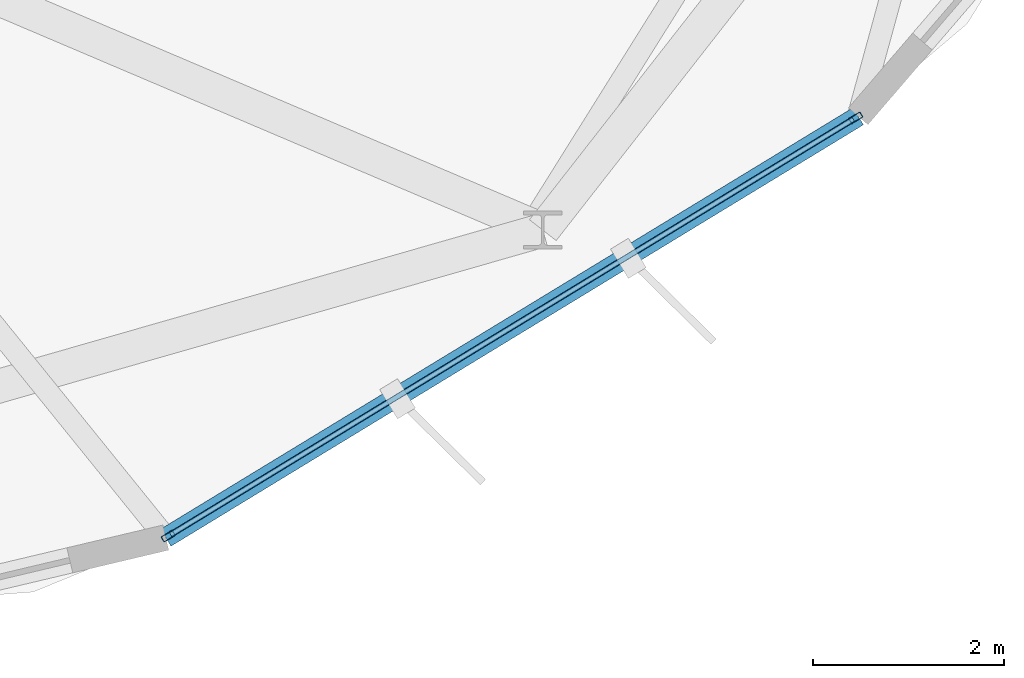
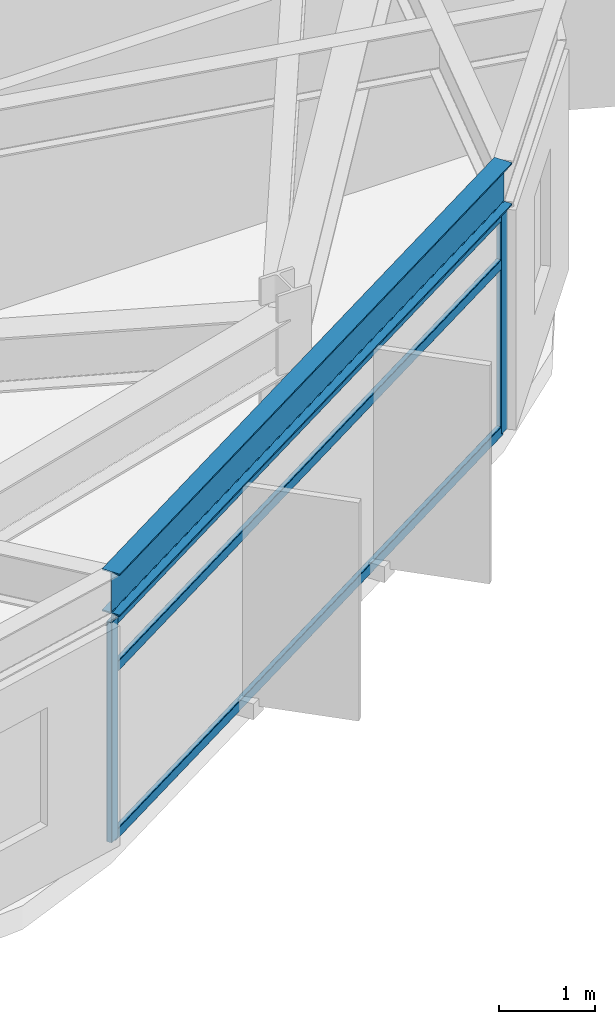
# One storey, part 5 of 23: 5 members, 1 beam, 1 element without a shape of its own.
"""IFC4 building model written with IfcOpenShell, lengths in metres."""

from ifc_helpers import new_model, si_unit, direction, frame, origin, origin_2d, place, context, subcontext, project, spatial, hollow_rectangle, i_section, extrude, material, layer, layer_set, material_profile, profile_set, type_object, element, aggregate, save


model = new_model("IFC4")

# Units and contexts
model_context = context("Model", 3, precision=1e-05, world=origin(), true_north=direction((0.0, 1.0)))
body_context = subcontext(model_context, "Body", "Model", "MODEL_VIEW")
ifc_project = project(units=[si_unit("LENGTHUNIT", "METRE"), si_unit("AREAUNIT", "SQUARE_METRE"), si_unit("VOLUMEUNIT", "CUBIC_METRE"), si_unit("PLANEANGLEUNIT", "RADIAN"), si_unit("MASSUNIT", "GRAM", prefix="KILO")], contexts=[model_context])

# Site, building, storey
site_placement = place(None, origin())
site = spatial("IfcSite", under=ifc_project, at=site_placement, CompositionType="ELEMENT")
building_placement = place(site_placement, origin())
building = spatial("IfcBuilding", under=site, at=building_placement, Name="Soratama Intermodal Tower", CompositionType="ELEMENT")
storey_placement = place(building_placement, frame((0.0, 0.0, 280.0)))
storey = spatial("IfcBuildingStorey", under=building, at=storey_placement, Name="L71", CompositionType="ELEMENT", Elevation=280.0)

# Beam
ifc_material_1 = material(Name="Structural steel ASTM A992 Grade 50", Category="steel")
ifc_material_profile_1 = material_profile(ifc_material_1, i_section(OverallWidth=0.2099609375, OverallDepth=0.537109375, WebThickness=0.010986328125, FlangeThickness=0.017333984375, FilletRadius=0.012939453125, at=origin_2d()), Name="W21X68")
ifc_profile_set_1 = profile_set([ifc_material_profile_1], Name="Structural steel ASTM A992 Grade 50")
beam_type = type_object("IfcBeamType", Name="BM-SPN-W21X68", PredefinedType="SPANDREL", material=ifc_profile_set_1)
beam_placement = place(storey_placement, frame((50.6640625, 7.51611328125, 3.1416015625), z_axis=(0.854239596594, 0.519879516437, 0.0), x_axis=(-0.519879516437, 0.854239596594, 0.0)))
element("IfcBeam", 1, at=beam_placement, inside=storey, type_object=beam_type, Name="BS-L71-F07", PredefinedType="SPANDREL", context=body_context, shape_type="SweptSolid", body=[
    extrude(i_section(OverallWidth=0.2099609375, OverallDepth=0.537109375, WebThickness=0.010986328125, FlangeThickness=0.017333984375, FilletRadius=0.012939453125, at=origin_2d()), origin(), (0.0, 0.0, 1.0), 8.5),
])

# Curtain wall, members
ifc_material_2 = material(Name="Double-glazed aluminium curtain wall", Category="aluminium")
ifc_layer = layer(ifc_material_2, 0.159912109375)
ifc_layer_set = layer_set([ifc_layer], Name="Double-glazed aluminium curtain wall")
curtain_wall_type = type_object("IfcCurtainWallType", Name="CW-SYS-5", PredefinedType="NOTDEFINED", material=ifc_layer_set)
curtain_wall_placement = place(storey_placement, origin())
curtain_wall = element("IfcCurtainWall", 2, at=curtain_wall_placement, inside=storey, type_object=curtain_wall_type, Name="L71 Faceted Curtain Wall F07", PredefinedType="NOTDEFINED")
ifc_material_3 = material(Name="Anodised aluminium AA 6063-T6", Category="aluminium")
ifc_material_profile_2 = material_profile(ifc_material_3, hollow_rectangle(XDim=0.06494140625, YDim=0.139892578125, WallThickness=0.0048828125, InnerFilletRadius=0.0048828125, OuterFilletRadius=0.010009765625, at=origin_2d()), Name="CWM140X65X5")
ifc_profile_set_2 = profile_set([ifc_material_profile_2], Name="Anodised aluminium AA 6063-T6")
member_type_1 = type_object("IfcMemberType", Name="MT-CWM-5", PredefinedType="MULLION", material=ifc_profile_set_2)
member_1_placement = place(storey_placement, frame((50.689208984375, 7.531982421875, 0.0), z_axis=(0.0, 0.0, 1.0), x_axis=(-0.519812949336, 0.854280104944, 0.0)))
member_1 = element("IfcMember", 3, at=member_1_placement, type_object=member_type_1, Name="CW-5 mullion 1", PredefinedType="MULLION", context=body_context, shape_type="SweptSolid", body=[
    extrude(hollow_rectangle(XDim=0.06494140625, YDim=0.139892578125, WallThickness=0.0048828125, InnerFilletRadius=0.0048828125, OuterFilletRadius=0.010009765625, at=origin_2d()), origin(), (0.0, 0.0, 1.0), 2.7890625),
])
member_2_placement = place(storey_placement, frame((57.899169921875, 11.919189453125, 0.0), z_axis=(0.0, 0.0, 1.0), x_axis=(-0.519812949336, 0.854280104944, 0.0)))
member_2 = element("IfcMember", 4, at=member_2_placement, type_object=member_type_1, Name="CW-5 mullion 2", PredefinedType="MULLION", context=body_context, shape_type="SweptSolid", body=[
    extrude(hollow_rectangle(XDim=0.06494140625, YDim=0.139892578125, WallThickness=0.0048828125, InnerFilletRadius=0.0048828125, OuterFilletRadius=0.010009765625, at=origin_2d()), origin(), (0.0, 0.0, 1.0), 2.7890625),
])
ifc_material_4 = material(Name="Anodised aluminium AA 6063-T6", Category="aluminium")
ifc_material_profile_3 = material_profile(ifc_material_4, hollow_rectangle(XDim=0.06005859375, YDim=0.1298828125, WallThickness=0.0048828125, InnerFilletRadius=0.0048828125, OuterFilletRadius=0.010009765625, at=origin_2d()), Name="CWT130X60X5")
ifc_profile_set_3 = profile_set([ifc_material_profile_3], Name="Anodised aluminium AA 6063-T6")
member_type_2 = type_object("IfcMemberType", Name="TT-CWT-2", PredefinedType="USERDEFINED", material=ifc_profile_set_3)
member_3_placement = place(storey_placement, frame((50.71484375, 7.547607421875, 0.030029296875), z_axis=(0.854278434024, 0.519815695378, 0.0), x_axis=(-0.519815695378, 0.854278434024, 0.0)))
member_3 = element("IfcMember", 5, at=member_3_placement, type_object=member_type_2, Name="CW-5 transom 1.1", ObjectType="TRANSOM", PredefinedType="USERDEFINED", context=body_context, shape_type="SweptSolid", body=[
    extrude(hollow_rectangle(XDim=0.06005859375, YDim=0.1298828125, WallThickness=0.0048828125, InnerFilletRadius=0.0048828125, OuterFilletRadius=0.010009765625, at=origin_2d()), origin(), (0.0, 0.0, 1.0), 8.3798828125),
])
member_4_placement = place(storey_placement, frame((50.71484375, 7.547607421875, 2.14990234375), z_axis=(0.854278434024, 0.519815695378, 0.0), x_axis=(-0.519815695378, 0.854278434024, 0.0)))
member_4 = element("IfcMember", 6, at=member_4_placement, type_object=member_type_2, Name="CW-5 transom 1.2", ObjectType="TRANSOM", PredefinedType="USERDEFINED", context=body_context, shape_type="SweptSolid", body=[
    extrude(hollow_rectangle(XDim=0.06005859375, YDim=0.1298828125, WallThickness=0.0048828125, InnerFilletRadius=0.0048828125, OuterFilletRadius=0.010009765625, at=origin_2d()), origin(), (0.0, 0.0, 1.0), 8.3798828125),
])
member_5_placement = place(storey_placement, frame((50.71484375, 7.547607421875, 2.759033203125), z_axis=(0.854278434024, 0.519815695378, 0.0), x_axis=(-0.519815695378, 0.854278434024, 0.0)))
member_5 = element("IfcMember", 7, at=member_5_placement, type_object=member_type_2, Name="CW-5 transom 1.3", ObjectType="TRANSOM", PredefinedType="USERDEFINED", context=body_context, shape_type="SweptSolid", body=[
    extrude(hollow_rectangle(XDim=0.06005859375, YDim=0.1298828125, WallThickness=0.0048828125, InnerFilletRadius=0.0048828125, OuterFilletRadius=0.010009765625, at=origin_2d()), origin(), (0.0, 0.0, 1.0), 8.3798828125),
])
aggregate(curtain_wall, [member_1, member_2, member_3, member_4, member_5])

save(model, "model.ifc")
